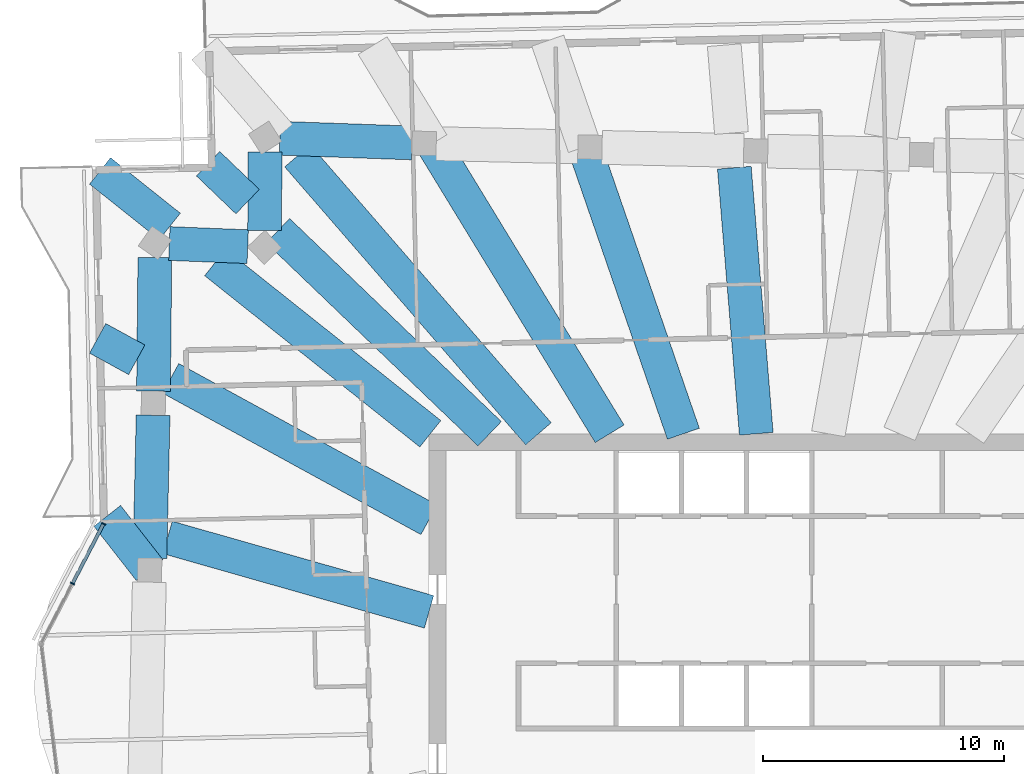
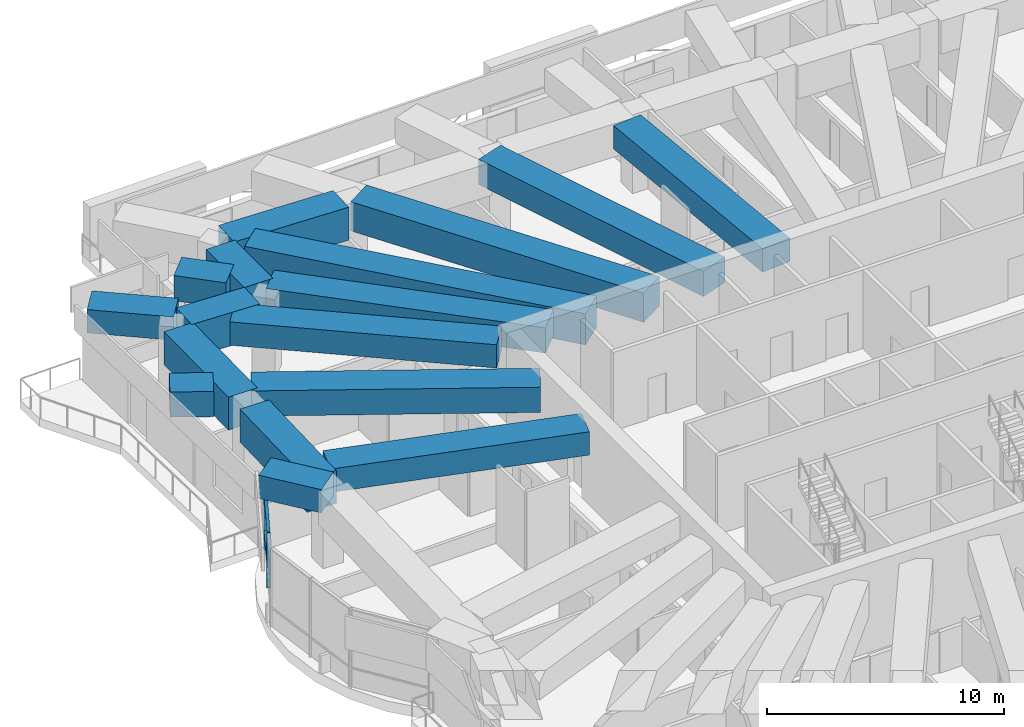
# One storey, part 5 of 21: 17 beams, 4 members, 1 element without a shape of its own.
"""IFC4 building model written with IfcOpenShell, lengths in metres."""

from ifc_helpers import new_model, si_unit, direction, frame, origin, origin_2d, place, context, subcontext, project, spatial, rectangle, extrude, material, material_profile, profile_set, type_object, element, aggregate, save


model = new_model("IFC4")

# Units and contexts
model_context = context("Model", 3, precision=1e-05, world=origin(), true_north=direction((0.0, 1.0)))
body_context = subcontext(model_context, "Body", "Model", "MODEL_VIEW")
ifc_project = project(units=[si_unit("LENGTHUNIT", "METRE"), si_unit("AREAUNIT", "SQUARE_METRE"), si_unit("VOLUMEUNIT", "CUBIC_METRE"), si_unit("PLANEANGLEUNIT", "RADIAN"), si_unit("MASSUNIT", "GRAM", prefix="KILO")], contexts=[model_context])

# Site, building, storey
site_placement = place(None, origin())
site = spatial("IfcSite", under=ifc_project, at=site_placement, CompositionType="ELEMENT")
building_placement = place(site_placement, origin())
building = spatial("IfcBuilding", under=site, at=building_placement, Name="Mangrove Gate Tower", CompositionType="ELEMENT")
storey_placement = place(building_placement, frame((0.0, 0.0, 275.300048828125)))
storey = spatial("IfcBuildingStorey", under=building, at=storey_placement, Name="L70", CompositionType="ELEMENT", Elevation=275.300048828125)

# Curtain wall, members
ifc_material_1 = material(Name="Aluminium and glass curtain wall", Category="aluminium")
curtain_wall_type = type_object("IfcCurtainWallType", Name="Sky-lounge glazing wall", PredefinedType="NOTDEFINED", material=ifc_material_1)
curtain_wall_placement = place(storey_placement, origin())
curtain_wall = element("IfcCurtainWall", 1, at=curtain_wall_placement, inside=storey, type_object=curtain_wall_type, Name="Sky-lounge glazing W9f1", PredefinedType="NOTDEFINED")
ifc_material_2 = material(Name="Aluminium alloy 6063-T6", Category="aluminium")
ifc_material_profile_1 = material_profile(ifc_material_2, rectangle(XDim=0.06005859375, YDim=0.179931640625, at=origin_2d()))
ifc_profile_set_1 = profile_set([ifc_material_profile_1], Name="Aluminium alloy 6063-T6")
member_type_1 = type_object("IfcMemberType", Name="Sky-lounge glazing mullion 60x180", PredefinedType="MULLION", material=ifc_profile_set_1)
member_1_placement = place(storey_placement, frame((-27.97900390625, 7.77490234375, 0.0), z_axis=(0.0, 0.0, 1.0), x_axis=(-0.460628472466, -0.887593043209, 0.0)))
member_1 = element("IfcMember", 2, at=member_1_placement, type_object=member_type_1, Name="CWK mullion 1", PredefinedType="MULLION", context=body_context, shape_type="SweptSolid", body=[
    extrude(rectangle(XDim=0.06005859375, YDim=0.179931640625, at=origin_2d()), origin(), (0.0, 0.0, 1.0), 2.849853515625),
])
member_2_placement = place(storey_placement, frame((-29.2646484375, 5.2978515625, 0.0), z_axis=(0.0, 0.0, 1.0), x_axis=(-0.460628472466, -0.887593043209, 0.0)))
member_2 = element("IfcMember", 3, at=member_2_placement, type_object=member_type_1, Name="CWK mullion 2", PredefinedType="MULLION", context=body_context, shape_type="SweptSolid", body=[
    extrude(rectangle(XDim=0.06005859375, YDim=0.179931640625, at=origin_2d()), origin(), (0.0, 0.0, 1.0), 2.849853515625),
])
ifc_material_3 = material(Name="Aluminium alloy 6063-T6", Category="aluminium")
ifc_material_profile_2 = material_profile(ifc_material_3, rectangle(XDim=0.06005859375, YDim=0.139892578125, at=origin_2d()))
ifc_profile_set_2 = profile_set([ifc_material_profile_2], Name="Aluminium alloy 6063-T6")
member_type_2 = type_object("IfcMemberType", Name="Sky-lounge glazing transom 60x140", PredefinedType="USERDEFINED", material=ifc_profile_set_2)
member_3_placement = place(storey_placement, frame((-27.992919921875, 7.748291015625, 1.0), z_axis=(-0.460609418104, -0.88760293147, 0.0), x_axis=(0.0, 0.0, 1.0)))
member_3 = element("IfcMember", 4, at=member_3_placement, type_object=member_type_2, Name="CWK transom 1.2", ObjectType="TRANSOM", PredefinedType="USERDEFINED", context=body_context, shape_type="SweptSolid", body=[
    extrude(rectangle(XDim=0.06005859375, YDim=0.139892578125, at=origin_2d()), origin(), (0.0, 0.0, 1.0), 2.730712890625),
])
member_4_placement = place(storey_placement, frame((-27.992919921875, 7.748291015625, 2.820068359375), z_axis=(-0.460609418104, -0.88760293147, 0.0), x_axis=(0.0, 0.0, 1.0)))
member_4 = element("IfcMember", 5, at=member_4_placement, type_object=member_type_2, Name="CWK transom 1.3", ObjectType="TRANSOM", PredefinedType="USERDEFINED", context=body_context, shape_type="SweptSolid", body=[
    extrude(rectangle(XDim=0.06005859375, YDim=0.139892578125, at=origin_2d()), origin(), (0.0, 0.0, 1.0), 2.730712890625),
])
aggregate(curtain_wall, [member_1, member_2, member_3, member_4])

# Beams
ifc_material_4 = material(Name="Concrete C50/60", Category="concrete")
ifc_material_profile_3 = material_profile(ifc_material_4, rectangle(XDim=1.39990234375, YDim=1.199951171875, at=origin_2d()))
ifc_profile_set_3 = profile_set([ifc_material_profile_3], Name="Concrete C50/60")
beam_type_1 = type_object("IfcBeamType", Name="Transfer girder RC 1400x1200 C50/60", PredefinedType="BEAM", material=ifc_profile_set_3)
beam_1_placement = place(storey_placement, frame((-0.94873046875, 11.5, 3.449951171875), z_axis=(-0.082208495035, 0.996615153078, 0.0), x_axis=(-0.996615153078, -0.082208495035, 0.0)))
element("IfcBeam", 6, at=beam_1_placement, inside=storey, type_object=beam_type_1, Name="Transfer girder L70 26", PredefinedType="BEAM", context=body_context, shape_type="SweptSolid", body=[
    extrude(rectangle(XDim=1.39990234375, YDim=1.199951171875, at=origin_2d()), origin(), (0.0, 0.0, 1.0), 11.056396484375),
])
beam_2_placement = place(storey_placement, frame((-14.447998046875, 11.5, 3.449951171875), z_axis=(-0.782405674196, 0.622769107283, 0.0), x_axis=(-0.622769107283, -0.782405674196, 0.0)))
element("IfcBeam", 7, at=beam_2_placement, inside=storey, type_object=beam_type_1, Name="Transfer girder L70 31", PredefinedType="BEAM", context=body_context, shape_type="SweptSolid", body=[
    extrude(rectangle(XDim=1.39990234375, YDim=1.199951171875, at=origin_2d()), origin(), (0.0, 0.0, 1.0), 11.38916015625),
])
beam_3_placement = place(storey_placement, frame((-25.236572265625, 20.08740234375, 3.449951171875), z_axis=(-0.782421588622, 0.622749112932, 0.0), x_axis=(-0.622749112932, -0.782421588622, 0.0)))
element("IfcBeam", 8, at=beam_3_placement, inside=storey, type_object=beam_type_1, Name="Transfer cantilever girder L70 31", PredefinedType="BEAM", context=body_context, shape_type="SweptSolid", body=[
    extrude(rectangle(XDim=1.39990234375, YDim=1.199951171875, at=origin_2d()), origin(), (0.0, 0.0, 1.0), 3.69091796875),
])
beam_4_placement = place(storey_placement, frame((-14.5, 4.125244140625, 3.449951171875), z_axis=(-0.961836808547, 0.273623744809, 0.0), x_axis=(-0.273623744809, -0.961836808547, 0.0)))
element("IfcBeam", 9, at=beam_4_placement, inside=storey, type_object=beam_type_1, Name="Transfer girder L70 33", PredefinedType="BEAM", context=body_context, shape_type="SweptSolid", body=[
    extrude(rectangle(XDim=1.39990234375, YDim=1.199951171875, at=origin_2d()), origin(), (0.0, 0.0, 1.0), 11.255615234375),
])
beam_5_placement = place(storey_placement, frame((-26.0732421875, 5.854736328125, 3.449951171875), z_axis=(-0.615221488164, 0.788354311526, 0.0), x_axis=(-0.788354311526, -0.615221488164, 0.0)))
element("IfcBeam", 10, at=beam_5_placement, inside=storey, type_object=beam_type_1, Name="Transfer edge girder L70 33", PredefinedType="BEAM", context=body_context, shape_type="SweptSolid", body=[
    extrude(rectangle(XDim=1.39990234375, YDim=1.199951171875, at=origin_2d()), origin(), (0.0, 0.0, 1.0), 2.848388671875),
])
ifc_material_5 = material(Name="Concrete C50/60", Category="concrete")
ifc_material_profile_4 = material_profile(ifc_material_5, rectangle(XDim=1.39990234375, YDim=1.300048828125, at=origin_2d()))
ifc_profile_set_4 = profile_set([ifc_material_profile_4], Name="Concrete C50/60")
beam_type_2 = type_object("IfcBeamType", Name="Transfer girder RC 1400x1300 C50/60", PredefinedType="BEAM", material=ifc_profile_set_4)
beam_6_placement = place(storey_placement, frame((-3.967529296875, 11.5, 3.39990234375), z_axis=(-0.326133827253, 0.945323609523, 0.0), x_axis=(-0.945323609523, -0.326133827253, 0.0)))
element("IfcBeam", 11, at=beam_6_placement, inside=storey, type_object=beam_type_2, Name="Transfer girder L70 27", PredefinedType="BEAM", context=body_context, shape_type="SweptSolid", body=[
    extrude(rectangle(XDim=1.39990234375, YDim=1.300048828125, at=origin_2d()), origin(), (0.0, 0.0, 1.0), 12.56201171875),
])
beam_7_placement = place(storey_placement, frame((-11.99072265625, 11.5, 3.39990234375), z_axis=(-0.721712920287, 0.692192502625, 0.0), x_axis=(-0.692192502625, -0.721712920287, 0.0)))
element("IfcBeam", 12, at=beam_7_placement, inside=storey, type_object=beam_type_2, Name="Transfer girder L70 30", PredefinedType="BEAM", context=body_context, shape_type="SweptSolid", body=[
    extrude(rectangle(XDim=1.39990234375, YDim=1.300048828125, at=origin_2d()), origin(), (0.0, 0.0, 1.0), 12.14892578125),
])
beam_8_placement = place(storey_placement, frame((-22.0146484375, 21.11376953125, 3.39990234375), z_axis=(-0.721701329956, 0.692204587055, 0.0), x_axis=(-0.692204587055, -0.721701329956, 0.0)))
element("IfcBeam", 13, at=beam_8_placement, inside=storey, type_object=beam_type_2, Name="Transfer cantilever girder L70 30", PredefinedType="BEAM", context=body_context, shape_type="SweptSolid", body=[
    extrude(rectangle(XDim=1.39990234375, YDim=1.300048828125, at=origin_2d()), origin(), (0.0, 0.0, 1.0), 2.267822265625),
])
beam_9_placement = place(storey_placement, frame((-14.5, 7.938232421875, 3.39990234375), z_axis=(-0.877164112188, 0.480190712415, 0.0), x_axis=(-0.480190712415, -0.877164112188, 0.0)))
element("IfcBeam", 14, at=beam_9_placement, inside=storey, type_object=beam_type_2, Name="Transfer girder L70 32", PredefinedType="BEAM", context=body_context, shape_type="SweptSolid", body=[
    extrude(rectangle(XDim=1.39990234375, YDim=1.300048828125, at=origin_2d()), origin(), (0.0, 0.0, 1.0), 12.19873046875),
])
beam_10_placement = place(storey_placement, frame((-26.603515625, 14.564453125, 3.39990234375), z_axis=(-0.877192968281, 0.480137997245, 0.0), x_axis=(-0.480137997245, -0.877192968281, 0.0)))
element("IfcBeam", 15, at=beam_10_placement, inside=storey, type_object=beam_type_2, Name="Transfer cantilever girder L70 32", PredefinedType="BEAM", context=body_context, shape_type="SweptSolid", body=[
    extrude(rectangle(XDim=1.39990234375, YDim=1.300048828125, at=origin_2d()), origin(), (0.0, 0.0, 1.0), 1.848388671875),
])
ifc_material_6 = material(Name="Concrete C50/60", Category="concrete")
ifc_material_profile_5 = material_profile(ifc_material_6, rectangle(XDim=1.39990234375, YDim=1.5, at=origin_2d()))
ifc_profile_set_5 = profile_set([ifc_material_profile_5], Name="Concrete C50/60")
beam_type_3 = type_object("IfcBeamType", Name="Transfer girder RC 1400x1500 C50/60", PredefinedType="BEAM", material=ifc_profile_set_5)
beam_11_placement = place(storey_placement, frame((-7.021728515625, 11.5, 3.300048828125), z_axis=(-0.521132286933, 0.85347591619, 0.0), x_axis=(-0.85347591619, -0.521132286933, 0.0)))
element("IfcBeam", 16, at=beam_11_placement, inside=storey, type_object=beam_type_3, Name="Transfer girder L70 28", PredefinedType="BEAM", context=body_context, shape_type="SweptSolid", body=[
    extrude(rectangle(XDim=1.39990234375, YDim=1.5, at=origin_2d()), origin(), (0.0, 0.0, 1.0), 14.08154296875),
])
ifc_material_7 = material(Name="Concrete C50/60", Category="concrete")
ifc_material_profile_6 = material_profile(ifc_material_7, rectangle(XDim=1.39990234375, YDim=1.60009765625, at=origin_2d()))
ifc_profile_set_6 = profile_set([ifc_material_profile_6], Name="Concrete C50/60")
beam_type_4 = type_object("IfcBeamType", Name="Transfer girder RC 1400x1600 C50/60", PredefinedType="BEAM", material=ifc_profile_set_6)
beam_12_placement = place(storey_placement, frame((-9.969970703125, 11.5, 3.25), z_axis=(-0.655048293883, 0.755587011985, 0.0), x_axis=(-0.755587011985, -0.655048293883, 0.0)))
element("IfcBeam", 17, at=beam_12_placement, inside=storey, type_object=beam_type_4, Name="Transfer girder L70 29", PredefinedType="BEAM", context=body_context, shape_type="SweptSolid", body=[
    extrude(rectangle(XDim=1.39990234375, YDim=1.60009765625, at=origin_2d()), origin(), (0.0, 0.0, 1.0), 15.23291015625),
])
ifc_material_8 = material(Name="Concrete C50/60", Category="concrete")
ifc_material_profile_7 = material_profile(ifc_material_8, rectangle(XDim=1.39990234375, YDim=1.699951171875, at=origin_2d()))
ifc_profile_set_7 = profile_set([ifc_material_profile_7], Name="Concrete C50/60")
beam_type_5 = type_object("IfcBeamType", Name="Transfer girder RC 1400x1700 C50/60", PredefinedType="BEAM", material=ifc_profile_set_7)
beam_13_placement = place(storey_placement, frame((-15.201171875, 23.5439453125, 3.199951171875), z_axis=(-0.999368457759, 0.035534288165, 0.0), x_axis=(-0.035534288165, -0.999368457759, 0.0)))
element("IfcBeam", 18, at=beam_13_placement, inside=storey, type_object=beam_type_5, Name="Transfer ring girder L70 26", PredefinedType="BEAM", context=body_context, shape_type="SweptSolid", body=[
    extrude(rectangle(XDim=1.39990234375, YDim=1.699951171875, at=origin_2d()), origin(), (0.0, 0.0, 1.0), 5.482666015625),
])
beam_14_placement = place(storey_placement, frame((-21.290771484375, 23.1650390625, 3.199951171875), z_axis=(-0.006013120391, -0.999981921028, 0.0), x_axis=(0.999981921028, -0.006013120391, 0.0)))
element("IfcBeam", 19, at=beam_14_placement, inside=storey, type_object=beam_type_5, Name="Transfer ring girder L70 27", PredefinedType="BEAM", context=body_context, shape_type="SweptSolid", body=[
    extrude(rectangle(XDim=1.39990234375, YDim=1.699951171875, at=origin_2d()), origin(), (0.0, 0.0, 1.0), 3.248046875),
])
beam_15_placement = place(storey_placement, frame((-22.009521484375, 19.2490234375, 3.199951171875), z_axis=(-0.999212441991, 0.039679916469, 0.0), x_axis=(-0.039679916469, -0.999212441991, 0.0)))
element("IfcBeam", 20, at=beam_15_placement, inside=storey, type_object=beam_type_5, Name="Transfer ring girder L70 28", PredefinedType="BEAM", context=body_context, shape_type="SweptSolid", body=[
    extrude(rectangle(XDim=1.39990234375, YDim=1.699951171875, at=origin_2d()), origin(), (0.0, 0.0, 1.0), 3.24853515625),
])
beam_16_placement = place(storey_placement, frame((-25.855224609375, 18.7958984375, 3.199951171875), z_axis=(-0.010108966043, -0.999948903097, 0.0), x_axis=(0.999948903097, -0.010108966043, 0.0)))
element("IfcBeam", 21, at=beam_16_placement, inside=storey, type_object=beam_type_5, Name="Transfer ring girder L70 29", PredefinedType="BEAM", context=body_context, shape_type="SweptSolid", body=[
    extrude(rectangle(XDim=1.39990234375, YDim=1.699951171875, at=origin_2d()), origin(), (0.0, 0.0, 1.0), 5.530517578125),
])
beam_17_placement = place(storey_placement, frame((-25.927490234375, 12.265869140625, 3.199951171875), z_axis=(-0.022709212486, -0.999742112581, 0.0), x_axis=(0.999742112581, -0.022709212486, 0.0)))
element("IfcBeam", 22, at=beam_17_placement, inside=storey, type_object=beam_type_5, Name="Transfer ring girder L70 30", PredefinedType="BEAM", context=body_context, shape_type="SweptSolid", body=[
    extrude(rectangle(XDim=1.39990234375, YDim=1.699951171875, at=origin_2d()), origin(), (0.0, 0.0, 1.0), 5.912841796875),
])

save(model, "model.ifc")
